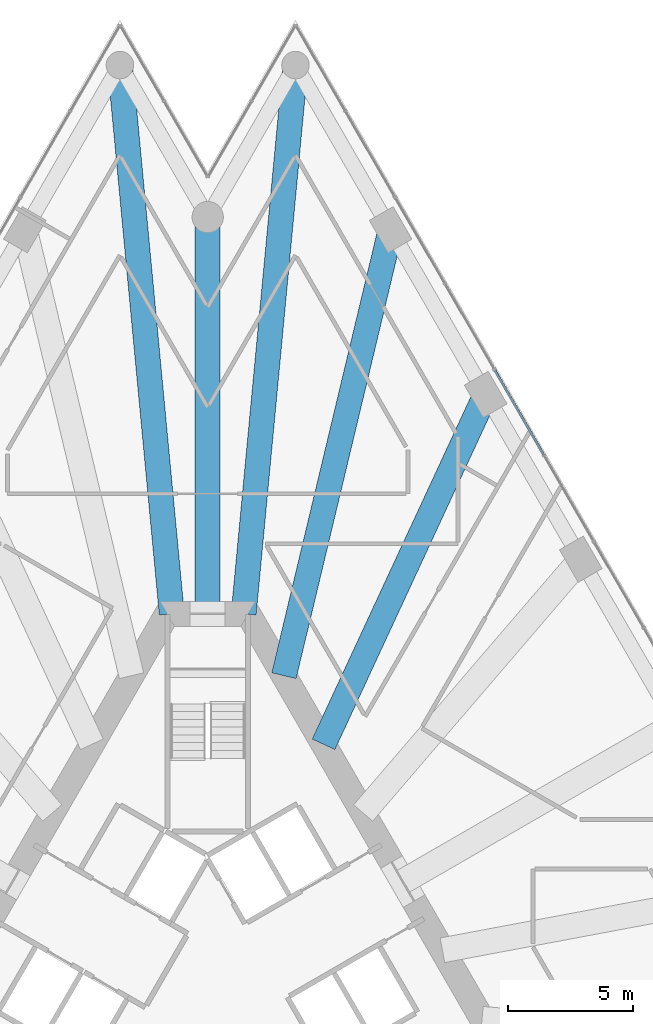
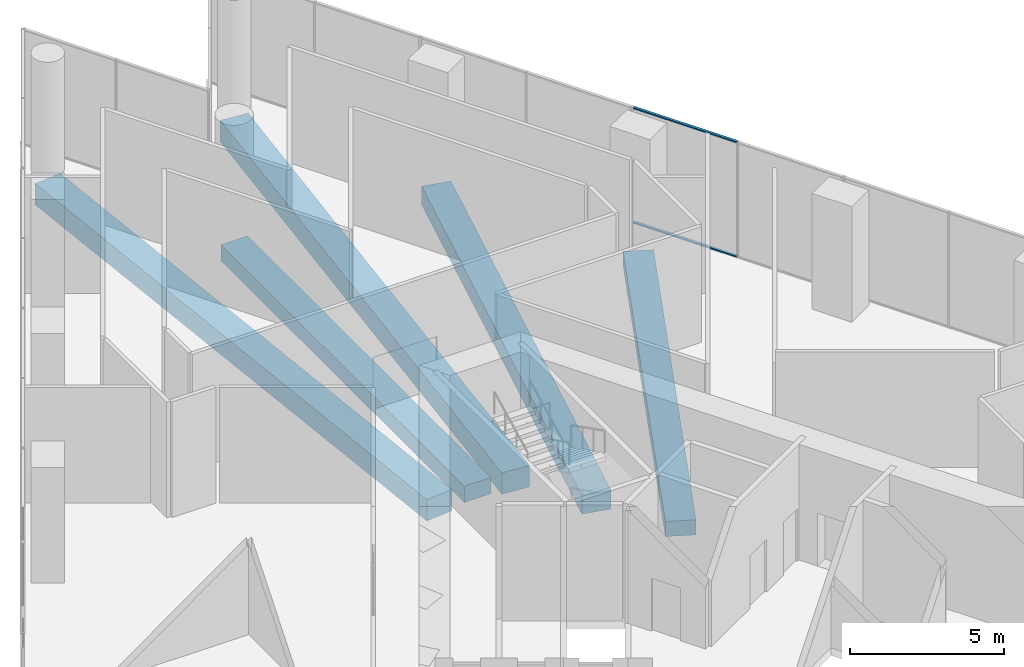
# One storey, part 16 of 32: 5 beams, 2 members, 1 element without a shape of its own.
"""IFC4 building model written with IfcOpenShell, lengths in metres."""

import ifcopenshell
import ifcopenshell.guid

model = None  # the IFC model being written
_history = None  # IfcOwnerHistory: only IFC2X3 demands one
_inside = {}  # id of a spatial element -> (the spatial element, [elements in it])
_under = {}  # id of a project, library or spatial element -> (it, [spatial elements below it])
_declared = {}  # id of a project -> (the project, [libraries it declares])
_typed = {}  # id of a type object -> (the type object, [elements of that type])
_made_of = {}  # id of a material, layer set ... -> (it, [elements and type objects made of it])


def new_model(schema):
    """Start an empty IFC model of exactly this schema.

    Asked for "IFC4X3", IfcOpenShell would pick the latest addendum, in which some entities
    have other attributes; the version numbers below select the first issue.
    IFC2X3 requires an IfcOwnerHistory on every rooted entity: one is made here for all.
    """
    global model, _history
    if schema == "IFC4X3":
        model = ifcopenshell.file(schema_version=(4, 3, 0, 0))
    else:
        model = ifcopenshell.file(schema=schema)
    _inside.clear()
    _under.clear()
    _declared.clear()
    _typed.clear()
    _made_of.clear()
    _history = None
    if model.schema == "IFC2X3":
        org = make("IfcOrganization", Name="unknown")
        user = make(
            "IfcPersonAndOrganization",
            ThePerson=make("IfcPerson", FamilyName="unknown"),
            TheOrganization=org,
        )
        app = make(
            "IfcApplication",
            ApplicationDeveloper=org,
            Version="unknown",
            ApplicationFullName="unknown",
            ApplicationIdentifier="unknown",
        )
        _history = make(
            "IfcOwnerHistory",
            OwningUser=user,
            OwningApplication=app,
            ChangeAction="ADDED",
            CreationDate=0,
        )
    return model


def make(cls, **values):
    """One entity of the class cls with the attributes given. An attribute that is None is left unset."""
    return model.create_entity(
        cls, **{name: value for name, value in values.items() if value is not None}
    )


def rooted(cls, **values):
    """An entity with a GlobalId (a new one), such as an element, a storey or a relation."""
    return make(cls, GlobalId=ifcopenshell.guid.new(), OwnerHistory=_history, **values)


def si_unit(unit_type, name, prefix=None):
    """IfcSIUnit, for example si_unit("LENGTHUNIT", "METRE", prefix="MILLI")."""
    return make("IfcSIUnit", UnitType=unit_type, Prefix=prefix, Name=name)


def assignment(units):
    """IfcUnitAssignment: the units of a project."""
    return None if units is None else make("IfcUnitAssignment", Units=units)


def point(xyz):
    """IfcCartesianPoint."""
    return None if xyz is None else make("IfcCartesianPoint", Coordinates=xyz)


def direction(xyz):
    """IfcDirection."""
    return None if xyz is None else make("IfcDirection", DirectionRatios=xyz)


def frame(location, z_axis=None, x_axis=None):
    """IfcAxis2Placement3D, a coordinate frame: its origin and axes. An axis left out is left unset."""
    return make(
        "IfcAxis2Placement3D",
        Location=point(location),
        Axis=direction(z_axis),
        RefDirection=direction(x_axis),
    )


def frame_2d(location, x_axis=None):
    """IfcAxis2Placement2D, a coordinate frame in the plane: its origin and x axis."""
    return make(
        "IfcAxis2Placement2D", Location=point(location), RefDirection=direction(x_axis)
    )


def origin():
    """The frame at (0, 0, 0) with its axes left unset."""
    return frame((0.0, 0.0, 0.0))


def origin_2d():
    """The frame at (0, 0) in the plane with its x axis left unset."""
    return frame_2d((0.0, 0.0))


def place(relative_to, where):
    """IfcLocalPlacement: puts the frame where relative to a parent placement (None: the world)."""
    return make(
        "IfcLocalPlacement", PlacementRelTo=relative_to, RelativePlacement=where
    )


def context(
    kind, dimensions, precision=None, world=None, true_north=None, identifier=None
):
    """IfcGeometricRepresentationContext, for example the 3D "Model" context."""
    return make(
        "IfcGeometricRepresentationContext",
        ContextIdentifier=identifier,
        ContextType=kind,
        CoordinateSpaceDimension=dimensions,
        Precision=precision,
        WorldCoordinateSystem=world,
        TrueNorth=true_north,
    )


def subcontext(parent, identifier, kind, view, scale=None):
    """IfcGeometricRepresentationSubContext, for example "Body" below "Model"."""
    return make(
        "IfcGeometricRepresentationSubContext",
        ContextIdentifier=identifier,
        ContextType=kind,
        ParentContext=parent,
        TargetScale=scale,
        TargetView=view,
    )


def project(units=None, contexts=None):
    """IfcProject with its units and contexts."""
    return rooted(
        "IfcProject",
        Name="project",
        RepresentationContexts=contexts,
        UnitsInContext=assignment(units),
    )


def spatial(cls, under=None, at=None, **own):
    """A site, building, storey or space (cls), placed at a placement, below another one or the project."""
    s = rooted(cls, ObjectPlacement=at, **own)
    if under is not None:
        _under.setdefault(under.id(), (under, []))[1].append(s)
    return s


def profile(cls, at=None, kind="AREA", **sizes):
    """A parametric profile (cls). Its sizes go by their IFC names, for example OverallWidth=200.0."""
    return make(cls, ProfileType=kind, Position=at, **sizes)


def rectangle(**sizes):
    """IfcRectangleProfileDef."""
    return profile("IfcRectangleProfileDef", **sizes)


def extrude(swept, where, along, depth):
    """IfcExtrudedAreaSolid: the profile swept, set in the frame where, extruded along a direction by depth."""
    return make(
        "IfcExtrudedAreaSolid",
        SweptArea=swept,
        Position=where,
        ExtrudedDirection=direction(along),
        Depth=depth,
    )


def shape(context_of_items, identifier, shape_type, items):
    """IfcShapeRepresentation: the items that make up one representation, for example the "Body"."""
    return make(
        "IfcShapeRepresentation",
        ContextOfItems=context_of_items,
        RepresentationIdentifier=identifier,
        RepresentationType=shape_type,
        Items=items,
    )


def material(Name=None, Category=None):
    """IfcMaterial."""
    return make("IfcMaterial", Name=Name, Category=Category)


def layer(
    of_material, thickness, ventilated=None, Name=None, Category=None, Priority=None
):
    """IfcMaterialLayer: one layer of a wall or slab, of a material (None: an air gap)."""
    return make(
        "IfcMaterialLayer",
        Material=of_material,
        LayerThickness=thickness,
        IsVentilated=ventilated,
        Name=Name,
        Category=Category,
        Priority=Priority,
    )


def layer_set(layers, Name=None):
    """IfcMaterialLayerSet."""
    return make("IfcMaterialLayerSet", MaterialLayers=layers, LayerSetName=Name)


def material_profile(
    of_material, cross_section, Name=None, Category=None, Priority=None
):
    """IfcMaterialProfile: a cross section and its material."""
    return make(
        "IfcMaterialProfile",
        Name=Name,
        Material=of_material,
        Profile=cross_section,
        Priority=Priority,
        Category=Category,
    )


def profile_set(profiles, Name=None, composite=None):
    """IfcMaterialProfileSet."""
    return make(
        "IfcMaterialProfileSet",
        Name=Name,
        MaterialProfiles=profiles,
        CompositeProfile=composite,
    )


def made_of(thing, what):
    """Note that an element or type object is made of a material, layer set ...; save() writes the relation."""
    if what is not None:
        _made_of.setdefault(what.id(), (what, []))[1].append(thing)
    return thing


def type_object(cls, material=None, **own):
    """A type object (cls), such as IfcWallType, which elements share."""
    return made_of(rooted(cls, **own), material)


def element(
    cls,
    number,
    at=None,
    inside=None,
    cuts=None,
    type_object=None,
    material=None,
    context=None,
    identifier="Body",
    shape_type=None,
    held_by="IfcProductDefinitionShape",
    body=None,
    shapes=None,
    **own,
):
    """One element of the class cls, such as IfcWall. Its Tag is "e" and its number.

    at: its placement. inside: the storey or other place that contains it. cuts: it is an
    opening in that element (IfcRelVoidsElement). A single representation is given by context,
    identifier, shape_type and body (its items); several are given by shapes. held_by: the class
    of the entity that holds the representations. save() writes the other relations.
    """
    e = rooted(cls, Tag="e%d" % number, ObjectPlacement=at, **own)
    if body is not None:
        shapes = [shape(context, identifier, shape_type, body)]
    if shapes is not None:
        e.Representation = make(held_by, Representations=shapes)
    if inside is not None:
        _inside.setdefault(inside.id(), (inside, []))[1].append(e)
    if cuts is not None:
        rooted(
            "IfcRelVoidsElement", RelatingBuildingElement=cuts, RelatedOpeningElement=e
        )
    if type_object is not None:
        _typed.setdefault(type_object.id(), (type_object, []))[1].append(e)
    return made_of(e, material)


def aggregate(whole, parts):
    """IfcRelAggregates: a whole, such as a stair, and the parts it consists of."""
    return rooted("IfcRelAggregates", RelatingObject=whole, RelatedObjects=parts)


def save(model, path):
    """Write the relations noted so far, then the file.

    IfcRelAggregates (storeys below a building ...), IfcRelContainedInSpatialStructure (elements
    in a storey), IfcRelDefinesByType, IfcRelAssociatesMaterial and IfcRelDeclares: one each for
    every whole, place, type object, material and project.
    """
    for whole, parts in _under.values():
        aggregate(whole, parts)
    for where, things in _inside.values():
        rooted(
            "IfcRelContainedInSpatialStructure",
            RelatedElements=things,
            RelatingStructure=where,
        )
    for kind, things in _typed.values():
        rooted("IfcRelDefinesByType", RelatedObjects=things, RelatingType=kind)
    for what, things in _made_of.values():
        rooted("IfcRelAssociatesMaterial", RelatedObjects=things, RelatingMaterial=what)
    for by, libraries in _declared.values():
        rooted("IfcRelDeclares", RelatingContext=by, RelatedDefinitions=libraries)
    model.write(path)


model = new_model("IFC4")

# Units and contexts
model_context = context("Model", 3, precision=1e-05, world=origin(), true_north=direction((0.0, 1.0)))
body_context = subcontext(model_context, "Body", "Model", "MODEL_VIEW")
ifc_project = project(units=[si_unit("LENGTHUNIT", "METRE"), si_unit("AREAUNIT", "SQUARE_METRE"), si_unit("VOLUMEUNIT", "CUBIC_METRE"), si_unit("PLANEANGLEUNIT", "RADIAN"), si_unit("MASSUNIT", "GRAM", prefix="KILO")], contexts=[model_context])

# Site, building, storey
site_placement = place(None, origin())
site = spatial("IfcSite", under=ifc_project, at=site_placement, CompositionType="ELEMENT")
building_placement = place(site_placement, origin())
building = spatial("IfcBuilding", under=site, at=building_placement, Name="Triada Interchange Tower", CompositionType="ELEMENT")
storey_placement = place(building_placement, frame((0.0, 0.0, 25.300048828125)))
storey = spatial("IfcBuildingStorey", under=building, at=storey_placement, Name="L04", CompositionType="ELEMENT", Elevation=25.300048828125)

# Beams
ifc_material_1 = material(Name="Concrete C50/60", Category="concrete")
ifc_material_profile_1 = material_profile(ifc_material_1, rectangle(XDim=1.0, YDim=0.60009765625, at=origin_2d()), Name="RC 1000x600")
ifc_profile_set_1 = profile_set([ifc_material_profile_1], Name="Concrete C50/60")
beam_type_1 = type_object("IfcBeamType", Name="Radial band beam P RC 1000x600", PredefinedType="BEAM", material=ifc_profile_set_1)
beam_1_placement = place(storey_placement, frame((11.10595703125, 23.9619140625, -0.699951171875), z_axis=(-0.420512879237, -0.90728656906, 0.0), x_axis=(0.90728656906, -0.420512879237, 0.0)))
element("IfcBeam", 1, at=beam_1_placement, inside=storey, type_object=beam_type_1, Name="Radial band beam BP27 L04", PredefinedType="BEAM", context=body_context, shape_type="SweptSolid", body=[
    extrude(rectangle(XDim=1.0, YDim=0.60009765625, at=origin_2d()), origin(), (0.0, 0.0, 1.0), 15.405029296875),
])
ifc_material_profile_2 = material_profile(ifc_material_1, rectangle(XDim=1.0, YDim=0.64990234375, at=origin_2d()), Name="RC 1000x650")
ifc_profile_set_2 = profile_set([ifc_material_profile_2], Name="Concrete C50/60")
beam_type_2 = type_object("IfcBeamType", Name="Radial band beam P RC 1000x650", PredefinedType="BEAM", material=ifc_profile_set_2)
beam_2_placement = place(storey_placement, frame((0.0, 31.050048828125, -0.72509765625), z_axis=(0.0, -1.0, 0.0), x_axis=(1.0, 0.0, 0.0)))
element("IfcBeam", 2, at=beam_2_placement, inside=storey, type_object=beam_type_2, Name="Radial band beam BP30 L04", PredefinedType="BEAM", context=body_context, shape_type="SweptSolid", body=[
    extrude(rectangle(XDim=1.0, YDim=0.64990234375, at=origin_2d()), origin(), (0.0, 0.0, 1.0), 15.85009765625),
])
ifc_material_profile_3 = material_profile(ifc_material_1, rectangle(XDim=1.0, YDim=0.75, at=origin_2d()), Name="RC 1000x750")
ifc_profile_set_3 = profile_set([ifc_material_profile_3], Name="Concrete C50/60")
beam_type_3 = type_object("IfcBeamType", Name="Radial band beam P RC 1000x750", PredefinedType="BEAM", material=ifc_profile_set_3)
beam_3_placement = place(storey_placement, frame((7.306884765625, 30.5439453125, -0.775146484375), z_axis=(-0.232645559645, -0.972561588578, 0.0), x_axis=(0.972561588578, -0.232645559645, 0.0)))
element("IfcBeam", 3, at=beam_3_placement, inside=storey, type_object=beam_type_3, Name="Radial band beam BP28 L04", PredefinedType="BEAM", context=body_context, shape_type="SweptSolid", body=[
    extrude(rectangle(XDim=1.0, YDim=0.75, at=origin_2d()), origin(), (0.0, 0.0, 1.0), 18.319580078125),
])
ifc_material_profile_4 = material_profile(ifc_material_1, rectangle(XDim=1.0, YDim=0.85009765625, at=origin_2d()), Name="RC 1000x850")
ifc_profile_set_4 = profile_set([ifc_material_profile_4], Name="Concrete C50/60")
beam_type_4 = type_object("IfcBeamType", Name="Radial band beam P RC 1000x850", PredefinedType="BEAM", material=ifc_profile_set_4)
for number, where, z_axis, x_axis, name in (
    (4, (-3.507080078125, 37.125, -0.824951171875), (0.094041597071, -0.99556826889, 0.0), (0.99556826889, 0.094041597071, 0.0), "Radial band beam BP01 L04"),
    (5, (3.507080078125, 37.125, -0.824951171875), (-0.094041597071, -0.99556826889, 0.0), (0.99556826889, -0.094041597071, 0.0), "Radial band beam BP29 L04"),
):
    element("IfcBeam", number, at=place(storey_placement, frame(where, z_axis=z_axis, x_axis=x_axis)), inside=storey, type_object=beam_type_4, Name=name, PredefinedType="BEAM", context=body_context, shape_type="SweptSolid", body=[
        extrude(rectangle(XDim=1.0, YDim=0.85009765625, at=origin_2d()), origin(), (0.0, 0.0, 1.0), 22.022705078125),
    ])

# Curtain wall, members
ifc_material_2 = material(Name="Aluminium framed glazing", Category="aluminium")
ifc_layer = layer(ifc_material_2, 0.199951171875)
ifc_layer_set = layer_set([ifc_layer], Name="Curtain wall Winter garden glazing")
curtain_wall_type = type_object("IfcCurtainWallType", Name="Curtain wall Winter garden glazing", PredefinedType="NOTDEFINED", material=ifc_layer_set)
curtain_wall_placement = place(storey_placement, origin())
curtain_wall = element("IfcCurtainWall", 6, at=curtain_wall_placement, inside=storey, type_object=curtain_wall_type, Name="Winter garden glazing CW017 L04", PredefinedType="NOTDEFINED")
ifc_material_3 = material(Name="Aluminium", Category="aluminium")
ifc_material_profile_5 = material_profile(ifc_material_3, rectangle(XDim=0.10009765625, YDim=0.050048828125, at=origin_2d()), Name="Aluminium transom")
ifc_profile_set_5 = profile_set([ifc_material_profile_5], Name="Aluminium")
member_type = type_object("IfcMemberType", Name="Transom Winter garden glazing 100x50", PredefinedType="USERDEFINED", material=ifc_profile_set_5)
member_1_placement = place(storey_placement, frame((13.427001953125, 21.543701171875, 0.02490234375), z_axis=(-0.499950487857, 0.866053987747, 0.0), x_axis=(-0.866053987747, -0.499950487857, 0.0)))
member_1 = element("IfcMember", 7, at=member_1_placement, type_object=member_type, Name="CW017 transom 2.1", ObjectType="TRANSOM", PredefinedType="USERDEFINED", context=body_context, shape_type="SweptSolid", body=[
    extrude(rectangle(XDim=0.10009765625, YDim=0.050048828125, at=origin_2d()), origin(), (0.0, 0.0, 1.0), 3.892578125),
])
member_2_placement = place(storey_placement, frame((13.427001953125, 21.543701171875, 4.574951171875), z_axis=(-0.499950487857, 0.866053987747, 0.0), x_axis=(-0.866053987747, -0.499950487857, 0.0)))
member_2 = element("IfcMember", 8, at=member_2_placement, type_object=member_type, Name="CW017 transom 2.2", ObjectType="TRANSOM", PredefinedType="USERDEFINED", context=body_context, shape_type="SweptSolid", body=[
    extrude(rectangle(XDim=0.10009765625, YDim=0.050048828125, at=origin_2d()), origin(), (0.0, 0.0, 1.0), 3.892578125),
])
aggregate(curtain_wall, [member_1, member_2])

save(model, "model.ifc")
